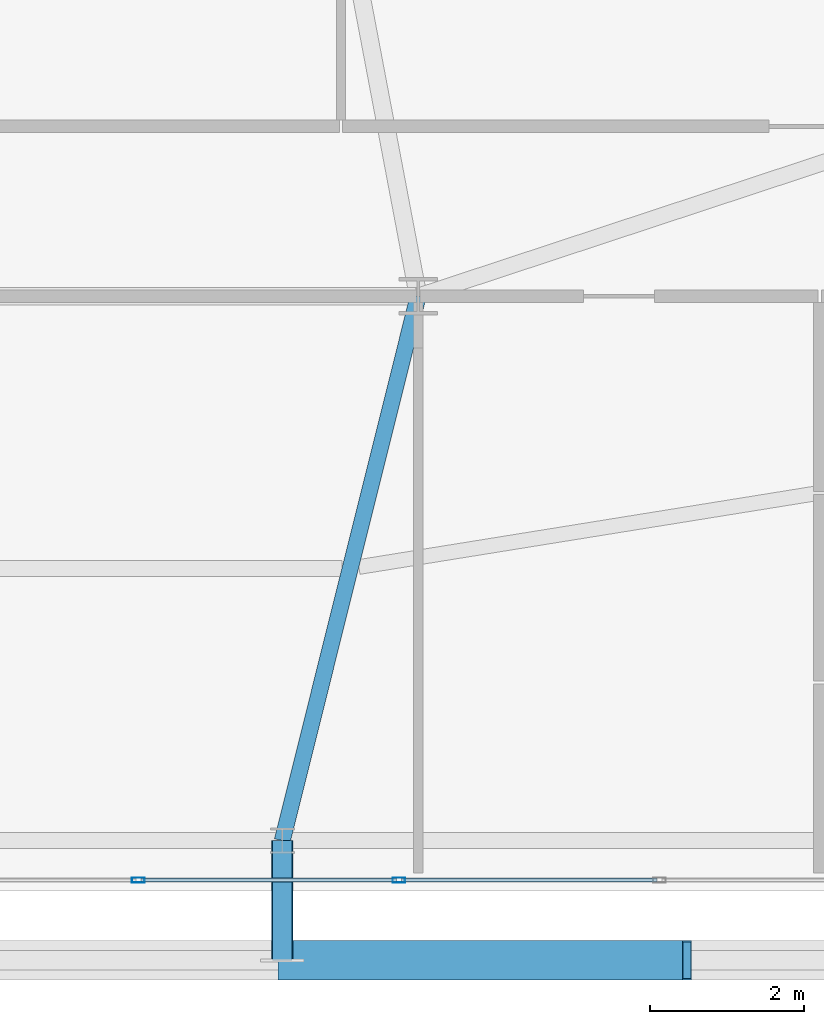
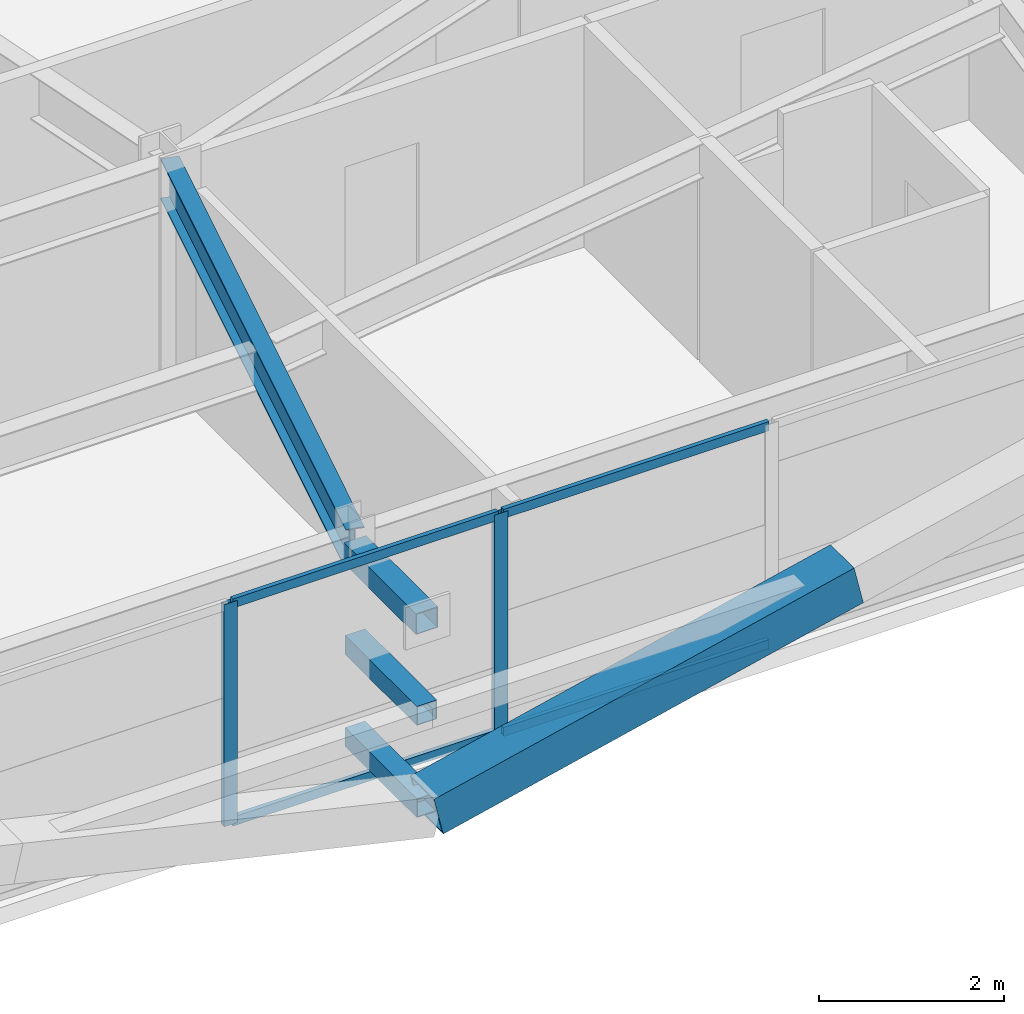
# One storey, part 20 of 59: 10 members, 1 beam, 1 element without a shape of its own.
"""IFC4 building model written with IfcOpenShell, lengths in metres."""

from ifc_helpers import new_model, si_unit, direction, frame, origin, origin_2d, place, context, subcontext, project, spatial, hollow_rectangle, i_section, extrude, source, transform, mapped, material, layer, layer_set, material_profile, profile_set, type_object, element, aggregate, save


model = new_model("IFC4")

# Units and contexts
model_context = context("Model", 3, precision=1e-05, world=origin(), true_north=direction((0.0, 1.0)))
body_context = subcontext(model_context, "Body", "Model", "MODEL_VIEW")
ifc_project = project(units=[si_unit("LENGTHUNIT", "METRE"), si_unit("AREAUNIT", "SQUARE_METRE"), si_unit("VOLUMEUNIT", "CUBIC_METRE"), si_unit("PLANEANGLEUNIT", "RADIAN"), si_unit("MASSUNIT", "GRAM", prefix="KILO")], contexts=[model_context])

# Site, building, storey
site_placement = place(None, origin())
site = spatial("IfcSite", under=ifc_project, at=site_placement, CompositionType="ELEMENT")
building_placement = place(site_placement, origin())
building = spatial("IfcBuilding", under=site, at=building_placement, Name="Taldren Reach Tower", CompositionType="ELEMENT")
storey_placement = place(building_placement, frame((0.0, 0.0, 26.25)))
storey = spatial("IfcBuildingStorey", under=building, at=storey_placement, Name="L07", CompositionType="ELEMENT", Elevation=26.25)

# Beam
ifc_material_1 = material(Name="Steel Gr 350 (350PLUS)", Category="steel")
ifc_material_profile_1 = material_profile(ifc_material_1, i_section(OverallWidth=0.208984375, OverallDepth=0.532958984375, WebThickness=0.01025390625, FlangeThickness=0.015625, at=origin_2d()), Name="530UB92.4")
ifc_profile_set_1 = profile_set([ifc_material_profile_1], Name="Steel Gr 350 (350PLUS)")
beam_type = type_object("IfcBeamType", Name="BM-UB530A", PredefinedType="BEAM", material=ifc_profile_set_1)
shared_shape_1 = source(origin(), body_context, "Body", "SweptSolid", [
    extrude(i_section(OverallWidth=0.208984375, OverallDepth=0.532958984375, WebThickness=0.01025390625, FlangeThickness=0.015625, at=origin_2d()), origin(), (0.0, 0.0, 1.0), 7.266357421875),
])
beam_placement = place(storey_placement, frame((42.0, 9.199951171875, 2.66357421875), z_axis=(-0.24221148493, -0.970223477642, 0.0), x_axis=(0.970223477642, -0.24221148493, 0.0)))
element("IfcBeam", 1, at=beam_placement, inside=storey, type_object=beam_type, Name="Primary floor girder B1-S4 L07", PredefinedType="BEAM", context=body_context, shape_type="MappedRepresentation", body=[
    mapped(shared_shape_1, transform((0.0, 0.0, 0.0), scale=1.0)),
])

# Members
ifc_material_2 = material(Name="Steel Gr 450 (C450L0)", Category="steel")
ifc_material_profile_2 = material_profile(ifc_material_2, hollow_rectangle(XDim=0.27490234375, YDim=0.27490234375, WallThickness=0.00927734375, at=origin_2d()), Name="275x275x9.3SHS")
ifc_profile_set_2 = profile_set([ifc_material_profile_2], Name="Steel Gr 450 (C450L0)")
member_type_1 = type_object("IfcMemberType", Name="MB-TIE273", PredefinedType="STRUT", material=ifc_profile_set_2)
shared_shape_2 = source(origin(), body_context, "Body", "SweptSolid", [
    extrude(hollow_rectangle(XDim=0.27490234375, YDim=0.27490234375, WallThickness=0.00927734375, at=origin_2d()), origin(), (0.0, 0.0, 1.0), 1.5498046875),
])
member_1_placement = place(storey_placement, frame((40.239990234375, 2.14990234375, 2.64990234375), z_axis=(0.0, -1.0, 0.0), x_axis=(1.0, 0.0, 0.0)))
element("IfcMember", 2, at=member_1_placement, inside=storey, type_object=member_type_1, Name="Exoskeleton diaphragm tie strut B1-S4 L07", PredefinedType="STRUT", context=body_context, shape_type="MappedRepresentation", body=[
    mapped(shared_shape_2, transform((0.0, 0.0, 0.0), scale=1.0)),
])
ifc_material_profile_3 = material_profile(ifc_material_2, hollow_rectangle(XDim=0.510009765625, YDim=0.510009765625, WallThickness=0.02001953125, at=origin_2d()), Name="510x510x20.0SHS")
ifc_profile_set_3 = profile_set([ifc_material_profile_3], Name="Steel Gr 450 (C450L0)")
member_type_2 = type_object("IfcMemberType", Name="MB-EXO508", PredefinedType="BRACE", material=ifc_profile_set_3)
shared_shape_3 = source(origin(), body_context, "Body", "SweptSolid", [
    extrude(hollow_rectangle(XDim=0.510009765625, YDim=0.510009765625, WallThickness=0.02001953125, at=origin_2d()), origin(), (0.0, 0.0, 1.0), 5.37890625),
])
member_2_placement = place(storey_placement, frame((40.239990234375, 0.60009765625, 0.219970703125), z_axis=(0.97415197996, 0.0, 0.225893603143), x_axis=(0.0, 1.0, 0.0)))
element("IfcMember", 3, at=member_2_placement, inside=storey, type_object=member_type_2, Name="Exoskeleton Diagrid Brace B1-S4 L07", PredefinedType="BRACE", context=body_context, shape_type="MappedRepresentation", body=[
    mapped(shared_shape_3, transform((0.0, 0.0, 0.0), scale=1.0)),
])
ifc_material_3 = material(Name="Steel Gr 350 (C350L0)", Category="steel")
ifc_material_profile_4 = material_profile(ifc_material_3, hollow_rectangle(XDim=0.25, YDim=0.25, WallThickness=0.010009765625, at=origin_2d()), Name="250x250x10.0SHS")
ifc_profile_set_4 = profile_set([ifc_material_profile_4], Name="Steel Gr 350 (C350L0)")
member_type_3 = type_object("IfcMemberType", Name="MB-POST250", PredefinedType="POST", material=ifc_profile_set_4)
shared_shape_4 = source(origin(), body_context, "Body", "SweptSolid", [
    extrude(hollow_rectangle(XDim=0.25, YDim=0.25, WallThickness=0.010009765625, at=origin_2d()), origin(), (0.0, 0.0, 1.0), 1.5498046875),
])
for number, where, z_axis, x_axis, name in (
    (4, (40.239990234375, 2.14990234375, 0.219970703125), (0.0, -1.0, 0.0), (1.0, 0.0, 0.0), "Exoskeleton base diaphragm tie strut B1-S4 L07"),
    (5, (40.239990234375, 2.14990234375, 1.43505859375), (0.0, -1.0, 0.0), (1.0, 0.0, 0.0), "Exoskeleton mid-tier diaphragm tie B1-S4 L07"),
):
    element("IfcMember", number, at=place(storey_placement, frame(where, z_axis=z_axis, x_axis=x_axis)), inside=storey, type_object=member_type_3, Name=name, PredefinedType="POST", context=body_context, shape_type="MappedRepresentation", body=[
        mapped(shared_shape_4, transform((0.0, 0.0, 0.0), scale=1.0)),
    ])

# Curtain wall, members
ifc_material_4 = material(Name="Aluminium and Low-E Glass Unitised System", Category="aluminium")
ifc_layer = layer(ifc_material_4, 0.159912109375)
ifc_layer_set = layer_set([ifc_layer], Name="Aluminium and Low-E Glass Unitised System")
curtain_wall_type = type_object("IfcCurtainWallType", Name="CW-SYS-2", PredefinedType="NOTDEFINED", material=ifc_layer_set)
curtain_wall_placement = place(storey_placement, origin())
curtain_wall = element("IfcCurtainWall", 6, at=curtain_wall_placement, inside=storey, type_object=curtain_wall_type, Name="Unitised curtain wall CW-L07-S", PredefinedType="NOTDEFINED")
ifc_material_5 = material(Name="Anodised Aluminium 6063-T6", Category="aluminium")
ifc_material_profile_5 = material_profile(ifc_material_5, hollow_rectangle(XDim=0.06494140625, YDim=0.1650390625, WallThickness=0.00390625, at=origin_2d()), Name="ALU-165x65x4RHS")
ifc_profile_set_5 = profile_set([ifc_material_profile_5], Name="Anodised Aluminium 6063-T6")
member_type_4 = type_object("IfcMemberType", Name="CW-MUL-165", PredefinedType="MULLION", material=ifc_profile_set_5)
shared_shape_5 = source(origin(), body_context, "Body", "SweptSolid", [
    extrude(hollow_rectangle(XDim=0.06494140625, YDim=0.1650390625, WallThickness=0.00390625, at=origin_2d()), origin(), (0.0, 0.0, 1.0), 2.929931640625),
])
member_3_placement = place(storey_placement, frame((38.375, 1.639892578125, 0.0), z_axis=(0.0, 0.0, 1.0), x_axis=(0.0, 1.0, 0.0)))
member_3 = element("IfcMember", 7, at=member_3_placement, type_object=member_type_4, Name="CW-2 mullion 10", PredefinedType="MULLION", context=body_context, shape_type="MappedRepresentation", body=[
    mapped(shared_shape_5, transform((0.0, 0.0, 0.0), scale=1.0)),
])
member_4_placement = place(storey_placement, frame((41.75, 1.639892578125, 0.0), z_axis=(0.0, 0.0, 1.0), x_axis=(0.0, 1.0, 0.0)))
member_4 = element("IfcMember", 8, at=member_4_placement, type_object=member_type_4, Name="CW-2 mullion 11", PredefinedType="MULLION", context=body_context, shape_type="MappedRepresentation", body=[
    mapped(shared_shape_5, transform((0.0, 0.0, 0.0), scale=1.0)),
])
ifc_material_profile_6 = material_profile(ifc_material_5, hollow_rectangle(XDim=0.054931640625, YDim=0.1201171875, WallThickness=0.0029296875, at=origin_2d()), Name="ALU-120x55x3RHS")
ifc_profile_set_6 = profile_set([ifc_material_profile_6], Name="Anodised Aluminium 6063-T6")
member_type_5 = type_object("IfcMemberType", Name="CW-TRN-135", PredefinedType="USERDEFINED", material=ifc_profile_set_6)
shared_shape_6 = source(origin(), body_context, "Body", "SweptSolid", [
    extrude(hollow_rectangle(XDim=0.054931640625, YDim=0.1201171875, WallThickness=0.0029296875, at=origin_2d()), origin(), (0.0, 0.0, 1.0), 3.31005859375),
])
member_5_placement = place(storey_placement, frame((38.407470703125, 1.639892578125, 0.027587890625), z_axis=(1.0, 0.0, 0.0), x_axis=(0.0, 1.0, 0.0)))
member_5 = element("IfcMember", 9, at=member_5_placement, type_object=member_type_5, Name="CW-2 transom 10.1", ObjectType="TRANSOM", PredefinedType="USERDEFINED", context=body_context, shape_type="MappedRepresentation", body=[
    mapped(shared_shape_6, transform((0.0, 0.0, 0.0), scale=1.0)),
])
member_6_placement = place(storey_placement, frame((38.407470703125, 1.639892578125, 2.902587890625), z_axis=(1.0, 0.0, 0.0), x_axis=(0.0, 1.0, 0.0)))
member_6 = element("IfcMember", 10, at=member_6_placement, type_object=member_type_5, Name="CW-2 transom 10.2", ObjectType="TRANSOM", PredefinedType="USERDEFINED", context=body_context, shape_type="MappedRepresentation", body=[
    mapped(shared_shape_6, transform((0.0, 0.0, 0.0), scale=1.0)),
])
member_7_placement = place(storey_placement, frame((41.782470703125, 1.639892578125, 0.027587890625), z_axis=(1.0, 0.0, 0.0), x_axis=(0.0, 1.0, 0.0)))
member_7 = element("IfcMember", 11, at=member_7_placement, type_object=member_type_5, Name="CW-2 transom 11.1", ObjectType="TRANSOM", PredefinedType="USERDEFINED", context=body_context, shape_type="MappedRepresentation", body=[
    mapped(shared_shape_6, transform((0.0, 0.0, 0.0), scale=1.0)),
])
member_8_placement = place(storey_placement, frame((41.782470703125, 1.639892578125, 2.902587890625), z_axis=(1.0, 0.0, 0.0), x_axis=(0.0, 1.0, 0.0)))
member_8 = element("IfcMember", 12, at=member_8_placement, type_object=member_type_5, Name="CW-2 transom 11.2", ObjectType="TRANSOM", PredefinedType="USERDEFINED", context=body_context, shape_type="MappedRepresentation", body=[
    mapped(shared_shape_6, transform((0.0, 0.0, 0.0), scale=1.0)),
])
aggregate(curtain_wall, [member_3, member_4, member_5, member_6, member_7, member_8])

save(model, "model.ifc")
